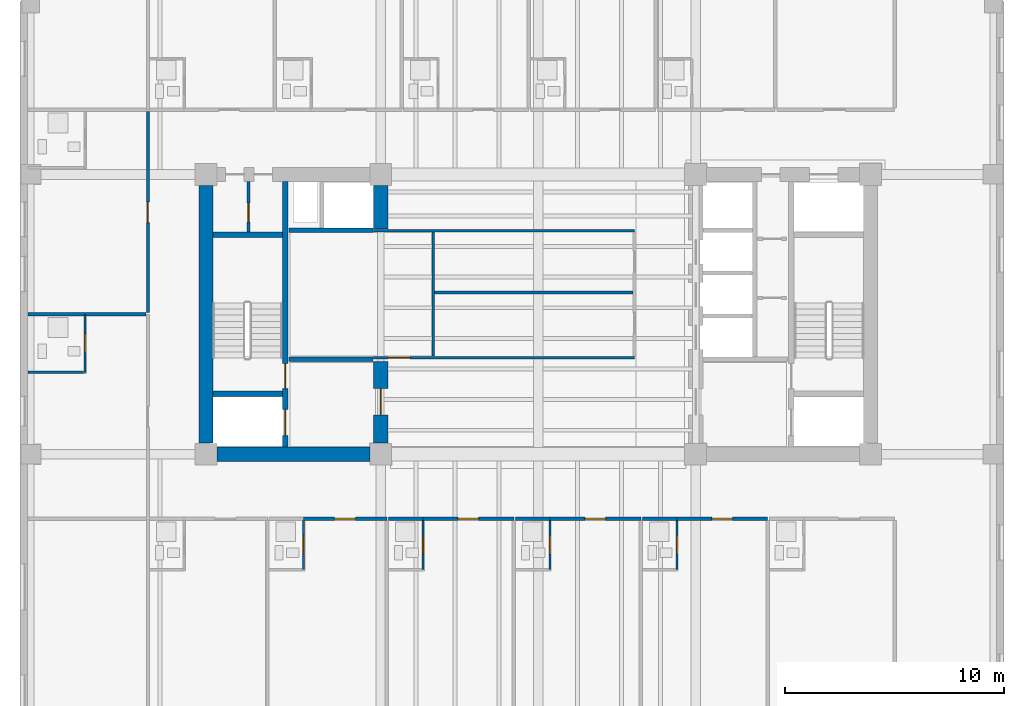
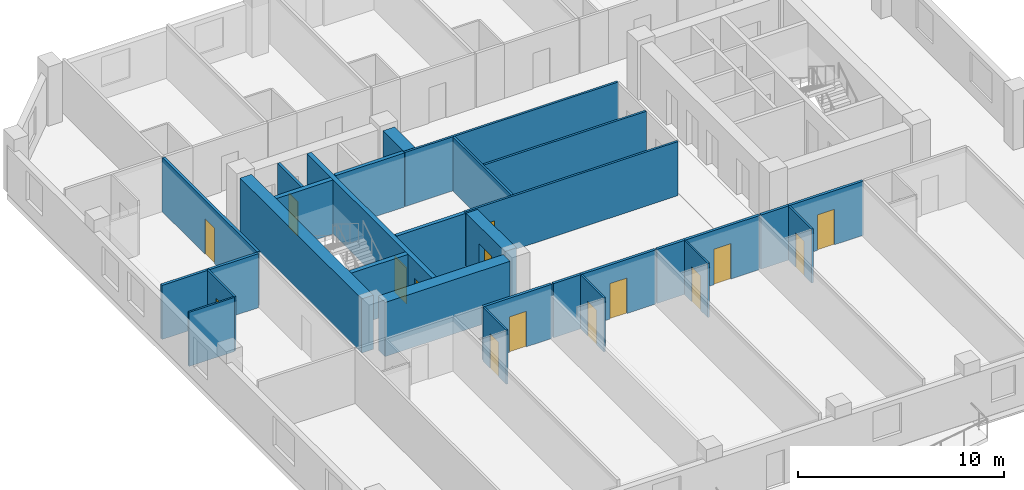
# One storey, part 3 of 11: 29 walls, 15 doors, 15 openings.
"""IFC4 building model written with IfcOpenShell, lengths in metres."""

from ifc_helpers import new_model, si_unit, direction, frame, frame_2d, origin, place, context, subcontext, project, spatial, rectangle, extrude, material, layer, layer_set, type_object, element, fill, save


model = new_model("IFC4")

# Units and contexts
model_context = context("Model", 3, precision=1e-05, world=origin(), true_north=direction((0.0, 1.0)))
body_context = subcontext(model_context, "Body", "Model", "MODEL_VIEW")
ifc_project = project(units=[si_unit("LENGTHUNIT", "METRE"), si_unit("AREAUNIT", "SQUARE_METRE"), si_unit("VOLUMEUNIT", "CUBIC_METRE"), si_unit("PLANEANGLEUNIT", "RADIAN"), si_unit("MASSUNIT", "GRAM", prefix="KILO")], contexts=[model_context])

# Site, building, storey
site_placement = place(None, origin())
site = spatial("IfcSite", under=ifc_project, at=site_placement, CompositionType="ELEMENT")
building_placement = place(site_placement, origin())
building = spatial("IfcBuilding", under=site, at=building_placement, Name="Kranthara Brick Stack", CompositionType="ELEMENT")
storey_placement = place(building_placement, frame((0.0, 0.0, 130.800048828125)))
storey = spatial("IfcBuildingStorey", under=building, at=storey_placement, Name="L32", CompositionType="ELEMENT", Elevation=130.800048828125)

# Wall, openings, doors
ifc_material_1 = material(Name="Concrete C50/60", Category="concrete")
ifc_layer_1 = layer(ifc_material_1, 0.25)
ifc_layer_set_1 = layer_set([ifc_layer_1], Name="Concrete C50/60")
wall_type_1 = type_object("IfcWallType", Name="WL-CORE-250", PredefinedType="SHEAR", material=ifc_layer_set_1)
wall_1_placement = place(storey_placement, frame((16.43505859375, 21.135009765625, 0.0), z_axis=(0.0, 0.0, 1.0), x_axis=(0.0, 1.0, 0.0)))
wall_1 = element("IfcWall", 1, at=wall_1_placement, inside=storey, type_object=wall_type_1, Name="L32 West Core Stair Bearing Spine Wall", PredefinedType="SHEAR", context=body_context, shape_type="SweptSolid", body=[
    extrude(rectangle(XDim=12.1298828125, YDim=0.25, at=frame_2d((6.06494140625, 0.0))), origin(), (0.0, 0.0, 1.0), 3.199951171875),
])
opening_1_placement = place(wall_1_placement, frame((0.514892578125, 0.0, 0.0)))
opening_1 = element("IfcOpeningElement", 2, at=opening_1_placement, cuts=wall_1, Name="Opening LD01", PredefinedType="OPENING", context=body_context, shape_type="SweptSolid", body=[
    extrude(rectangle(XDim=1.199951171875, YDim=2.14990234375, at=frame_2d((0.60009765625, 1.074951171875))), frame((0.0, 0.135009765625, 0.0), z_axis=(0.0, -1.0, 0.0), x_axis=(1.0, 0.0, 0.0)), (0.0, 0.0, 1.0), 0.27001953125),
])
opening_2_placement = place(wall_1_placement, frame((2.6650390625, 0.0, 0.0)))
opening_2 = element("IfcOpeningElement", 3, at=opening_2_placement, cuts=wall_1, Name="Opening D05", PredefinedType="OPENING", context=body_context, shape_type="SweptSolid", body=[
    extrude(rectangle(XDim=1.14990234375, YDim=2.14990234375, at=frame_2d((0.574951171875, 1.074951171875))), frame((0.0, 0.135009765625, 0.0), z_axis=(0.0, -1.0, 0.0), x_axis=(1.0, 0.0, 0.0)), (0.0, 0.0, 1.0), 0.27001953125),
])
ifc_material_2 = material(Name="Stainless steel sliding landing door", Category="steel")
door_type_1 = type_object("IfcDoorType", Name="DR-LD-FF1200", OperationType="DOUBLE_DOOR_SLIDING", PredefinedType="DOOR", material=ifc_material_2)
door_1_placement = place(opening_1_placement, origin())
door_1 = element("IfcDoor", 4, at=door_1_placement, inside=storey, type_object=door_type_1, Name="L32 Firefighting Lift FF-01 Landing Door", OperationType="DOUBLE_DOOR_SLIDING", OverallHeight=2.14990234375, OverallWidth=1.199951171875, PredefinedType="DOOR", context=body_context, shape_type="SweptSolid", body=[
    extrude(rectangle(XDim=1.199951171875, YDim=2.14990234375, at=frame_2d((0.60009765625, 1.074951171875))), frame((0.0, 0.02490234375, 0.0), z_axis=(0.0, -1.0, 0.0), x_axis=(1.0, 0.0, 0.0)), (0.0, 0.0, 1.0), 0.050048828125),
])
fill(opening_1, door_1)
ifc_material_3 = material(Name="Solid-core hardwood timber leaf in steel frame", Category="steel")
door_type_2 = type_object("IfcDoorType", Name="DR-ST-1150", OperationType="NOTDEFINED", PredefinedType="DOOR", material=ifc_material_3)
door_2_placement = place(opening_2_placement, origin())
door_2 = element("IfcDoor", 5, at=door_2_placement, inside=storey, type_object=door_type_2, Name="L32 Exit Stair ST01 Door", OperationType="SINGLE_SWING_RIGHT", OverallHeight=2.14990234375, OverallWidth=1.14990234375, PredefinedType="DOOR", context=body_context, shape_type="SweptSolid", body=[
    extrude(rectangle(XDim=1.14990234375, YDim=2.14990234375, at=frame_2d((0.574951171875, 1.074951171875))), frame((0.0, 0.02490234375, 0.0), z_axis=(0.0, -1.0, 0.0), x_axis=(1.0, 0.0, 0.0)), (0.0, 0.0, 1.0), 0.050048828125),
])
fill(opening_2, door_2)

# Walls
for number, where, z_axis, x_axis, name in (
    (6, (13.135009765625, 23.570068359375, 0.0), (0.0, 0.0, 1.0), (1.0, 0.0, 0.0), "L32 West Stairwell Bearing Wall WFF"),
    (7, (13.135009765625, 30.830078125, 0.0), (0.0, 0.0, 1.0), (1.0, 0.0, 0.0), "L32 West Stairwell Bearing Wall WST"),
):
    element("IfcWall", number, at=place(storey_placement, frame(where, z_axis=z_axis, x_axis=x_axis)), inside=storey, type_object=wall_type_1, Name=name, PredefinedType="SHEAR", context=body_context, shape_type="SweptSolid", body=[
        extrude(rectangle(XDim=3.175048828125, YDim=0.25, at=frame_2d((1.58740234375, 0.0))), origin(), (0.0, 0.0, 1.0), 3.199951171875),
    ])
ifc_material_4 = material(Name="Concrete C60/75", Category="concrete")
ifc_layer_2 = layer(ifc_material_4, 0.64990234375)
ifc_layer_set_2 = layer_set([ifc_layer_2], Name="Concrete C60/75")
wall_type_2 = type_object("IfcWallType", Name="WL-CORE-650", PredefinedType="SHEAR", material=ifc_layer_set_2)
wall_2_placement = place(storey_placement, frame((12.800048828125, 21.304931640625, 0.0), z_axis=(0.0, 0.0, 1.0), x_axis=(0.0, 1.0, 0.0)))
element("IfcWall", 8, at=wall_2_placement, inside=storey, type_object=wall_type_2, Name="L32 West Core Shear Wall West", PredefinedType="SHEAR", context=body_context, shape_type="SweptSolid", body=[
    extrude(rectangle(XDim=11.7900390625, YDim=0.64990234375, at=frame_2d((5.89501953125, 0.0))), origin(), (0.0, 0.0, 1.0), 3.199951171875),
])
wall_3_placement = place(storey_placement, frame((13.304931640625, 20.800048828125, 0.0), z_axis=(0.0, 0.0, 1.0), x_axis=(1.0, 0.0, 0.0)))
element("IfcWall", 9, at=wall_3_placement, inside=storey, type_object=wall_type_2, Name="L32 West Core Shear Wall South", PredefinedType="SHEAR", context=body_context, shape_type="SweptSolid", body=[
    extrude(rectangle(XDim=6.989990234375, YDim=0.64990234375, at=frame_2d((3.4951171875, 0.0))), origin(), (0.0, 0.0, 1.0), 3.199951171875),
])

# Wall, opening, door
wall_4_placement = place(storey_placement, frame((20.800048828125, 21.304931640625, 0.0), z_axis=(0.0, 0.0, 1.0), x_axis=(0.0, 1.0, 0.0)))
wall_4 = element("IfcWall", 10, at=wall_4_placement, inside=storey, type_object=wall_type_2, Name="L32 West Core Lobby Shear Wall", PredefinedType="SHEAR", context=body_context, shape_type="SweptSolid", body=[
    extrude(rectangle(XDim=3.7451171875, YDim=0.64990234375, at=frame_2d((1.87255859375, 0.0))), origin(), (0.0, 0.0, 1.0), 3.199951171875),
])
opening_3_placement = place(wall_4_placement, frame((1.294921875, 0.0, 0.0)))
opening_3 = element("IfcOpeningElement", 11, at=opening_3_placement, cuts=wall_4, Name="Opening D06", PredefinedType="OPENING", context=body_context, shape_type="SweptSolid", body=[
    extrude(rectangle(XDim=1.199951171875, YDim=2.14990234375, at=frame_2d((0.60009765625, 1.074951171875))), frame((0.0, 0.3349609375, 0.0), z_axis=(0.0, -1.0, 0.0), x_axis=(1.0, 0.0, 0.0)), (0.0, 0.0, 1.0), 0.669921875),
])
ifc_material_5 = material(Name="Solid-core hardwood timber leaf in steel frame", Category="steel")
door_type_3 = type_object("IfcDoorType", Name="DR-FFL-1200", OperationType="NOTDEFINED", PredefinedType="DOOR", material=ifc_material_5)
door_3_placement = place(opening_3_placement, origin())
door_3 = element("IfcDoor", 12, at=door_3_placement, inside=storey, type_object=door_type_3, Name="L32 West Firefighting Lobby Door", OperationType="SINGLE_SWING_LEFT", OverallHeight=2.14990234375, OverallWidth=1.199951171875, PredefinedType="DOOR", context=body_context, shape_type="SweptSolid", body=[
    extrude(rectangle(XDim=1.199951171875, YDim=2.14990234375, at=frame_2d((0.60009765625, 1.074951171875))), frame((0.0, 0.02490234375, 0.0), z_axis=(0.0, -1.0, 0.0), x_axis=(1.0, 0.0, 0.0)), (0.0, 0.0, 1.0), 0.050048828125),
])
fill(opening_3, door_3)

# Wall
wall_5_placement = place(storey_placement, frame((20.800048828125, 31.10009765625, 0.0), z_axis=(0.0, 0.0, 1.0), x_axis=(0.0, 1.0, 0.0)))
element("IfcWall", 13, at=wall_5_placement, inside=storey, type_object=wall_type_2, Name="L32 West Core High-Rise Lift Wall", PredefinedType="SHEAR", context=body_context, shape_type="SweptSolid", body=[
    extrude(rectangle(XDim=1.994873046875, YDim=0.64990234375, at=frame_2d((0.99755859375, 0.0))), origin(), (0.0, 0.0, 1.0), 3.199951171875),
])

# Wall, opening, door
ifc_material_6 = material(Name="Moisture-resistant wet-room partition", Category="other")
ifc_layer_3 = layer(ifc_material_6, 0.10009765625)
ifc_layer_set_3 = layer_set([ifc_layer_3], Name="Moisture-resistant wet-room partition")
wall_type_3 = type_object("IfcWallType", Name="WL-PART-100", PredefinedType="PARTITIONING", material=ifc_layer_set_3)
wall_6_placement = place(storey_placement, frame((17.263916015625, 15.52001953125, 0.0), z_axis=(0.0, 0.0, 1.0), x_axis=(0.0, 1.0, 0.0)))
wall_6 = element("IfcWall", 14, at=wall_6_placement, inside=storey, type_object=wall_type_3, Name="L32 Interior Partition 017", PredefinedType="PARTITIONING", context=body_context, shape_type="SweptSolid", body=[
    extrude(rectangle(XDim=2.25, YDim=0.10009765625, at=frame_2d((1.125, 0.0))), origin(), (0.0, 0.0, 1.0), 3.199951171875),
])
opening_4_placement = place(wall_6_placement, frame((0.719970703125, 0.0, 0.0)))
opening_4 = element("IfcOpeningElement", 15, at=opening_4_placement, cuts=wall_6, Name="Opening D17", PredefinedType="OPENING", context=body_context, shape_type="SweptSolid", body=[
    extrude(rectangle(XDim=0.85009765625, YDim=2.050048828125, at=frame_2d((0.425048828125, 1.02490234375))), frame((0.0, 0.06005859375, 0.0), z_axis=(0.0, -1.0, 0.0), x_axis=(1.0, 0.0, 0.0)), (0.0, 0.0, 1.0), 0.1201171875),
])
ifc_material_7 = material(Name="Solid-core hardwood timber leaf in steel frame", Category="steel")
door_type_4 = type_object("IfcDoorType", Name="DR-WET-850", OperationType="NOTDEFINED", PredefinedType="DOOR", material=ifc_material_7)
door_4_placement = place(opening_4_placement, origin())
door_4 = element("IfcDoor", 16, at=door_4_placement, inside=storey, type_object=door_type_4, Name="L32 Key 02 En-Suite Door 09", OperationType="SINGLE_SWING_LEFT", OverallHeight=2.050048828125, OverallWidth=0.85009765625, PredefinedType="DOOR", context=body_context, shape_type="SweptSolid", body=[
    extrude(rectangle(XDim=0.85009765625, YDim=2.050048828125, at=frame_2d((0.425048828125, 1.02490234375))), frame((0.0, 0.02490234375, 0.0), z_axis=(0.0, -1.0, 0.0), x_axis=(1.0, 0.0, 0.0)), (0.0, 0.0, 1.0), 0.050048828125),
])
fill(opening_4, door_4)

wall_7_placement = place(storey_placement, frame((22.72802734375, 15.52001953125, 0.0), z_axis=(0.0, 0.0, 1.0), x_axis=(0.0, 1.0, 0.0)))
wall_7 = element("IfcWall", 17, at=wall_7_placement, inside=storey, type_object=wall_type_3, Name="L32 Interior Partition 022", PredefinedType="PARTITIONING", context=body_context, shape_type="SweptSolid", body=[
    extrude(rectangle(XDim=2.25, YDim=0.10009765625, at=frame_2d((1.125, 0.0))), origin(), (0.0, 0.0, 1.0), 3.199951171875),
])
opening_5_placement = place(wall_7_placement, frame((0.719970703125, 0.0, 0.0)))
opening_5 = element("IfcOpeningElement", 18, at=opening_5_placement, cuts=wall_7, Name="Opening D17", PredefinedType="OPENING", context=body_context, shape_type="SweptSolid", body=[
    extrude(rectangle(XDim=0.85009765625, YDim=2.050048828125, at=frame_2d((0.425048828125, 1.02490234375))), frame((0.0, 0.06005859375, 0.0), z_axis=(0.0, -1.0, 0.0), x_axis=(1.0, 0.0, 0.0)), (0.0, 0.0, 1.0), 0.1201171875),
])
door_5_placement = place(opening_5_placement, origin())
door_5 = element("IfcDoor", 19, at=door_5_placement, inside=storey, type_object=door_type_4, Name="L32 Key 03 En-Suite Door 11", OperationType="SINGLE_SWING_LEFT", OverallHeight=2.050048828125, OverallWidth=0.85009765625, PredefinedType="DOOR", context=body_context, shape_type="SweptSolid", body=[
    extrude(rectangle(XDim=0.85009765625, YDim=2.050048828125, at=frame_2d((0.425048828125, 1.02490234375))), frame((0.0, 0.02490234375, 0.0), z_axis=(0.0, -1.0, 0.0), x_axis=(1.0, 0.0, 0.0)), (0.0, 0.0, 1.0), 0.050048828125),
])
fill(opening_5, door_5)

wall_8_placement = place(storey_placement, frame((28.532958984375, 15.52001953125, 0.0), z_axis=(0.0, 0.0, 1.0), x_axis=(0.0, 1.0, 0.0)))
wall_8 = element("IfcWall", 20, at=wall_8_placement, inside=storey, type_object=wall_type_3, Name="L32 Interior Partition 027", PredefinedType="PARTITIONING", context=body_context, shape_type="SweptSolid", body=[
    extrude(rectangle(XDim=2.25, YDim=0.10009765625, at=frame_2d((1.125, 0.0))), origin(), (0.0, 0.0, 1.0), 3.199951171875),
])
opening_6_placement = place(wall_8_placement, frame((0.719970703125, 0.0, 0.0)))
opening_6 = element("IfcOpeningElement", 21, at=opening_6_placement, cuts=wall_8, Name="Opening D17", PredefinedType="OPENING", context=body_context, shape_type="SweptSolid", body=[
    extrude(rectangle(XDim=0.85009765625, YDim=2.050048828125, at=frame_2d((0.425048828125, 1.02490234375))), frame((0.0, 0.06005859375, 0.0), z_axis=(0.0, -1.0, 0.0), x_axis=(1.0, 0.0, 0.0)), (0.0, 0.0, 1.0), 0.1201171875),
])
door_6_placement = place(opening_6_placement, origin())
door_6 = element("IfcDoor", 22, at=door_6_placement, inside=storey, type_object=door_type_4, Name="L32 Key 04 En-Suite Door 13", OperationType="SINGLE_SWING_LEFT", OverallHeight=2.050048828125, OverallWidth=0.85009765625, PredefinedType="DOOR", context=body_context, shape_type="SweptSolid", body=[
    extrude(rectangle(XDim=0.85009765625, YDim=2.050048828125, at=frame_2d((0.425048828125, 1.02490234375))), frame((0.0, 0.02490234375, 0.0), z_axis=(0.0, -1.0, 0.0), x_axis=(1.0, 0.0, 0.0)), (0.0, 0.0, 1.0), 0.050048828125),
])
fill(opening_6, door_6)

wall_9_placement = place(storey_placement, frame((34.339111328125, 15.52001953125, 0.0), z_axis=(0.0, 0.0, 1.0), x_axis=(0.0, 1.0, 0.0)))
wall_9 = element("IfcWall", 23, at=wall_9_placement, inside=storey, type_object=wall_type_3, Name="L32 Interior Partition 032", PredefinedType="PARTITIONING", context=body_context, shape_type="SweptSolid", body=[
    extrude(rectangle(XDim=2.25, YDim=0.10009765625, at=frame_2d((1.125, 0.0))), origin(), (0.0, 0.0, 1.0), 3.199951171875),
])
opening_7_placement = place(wall_9_placement, frame((0.719970703125, 0.0, 0.0)))
opening_7 = element("IfcOpeningElement", 24, at=opening_7_placement, cuts=wall_9, Name="Opening D17", PredefinedType="OPENING", context=body_context, shape_type="SweptSolid", body=[
    extrude(rectangle(XDim=0.85009765625, YDim=2.050048828125, at=frame_2d((0.425048828125, 1.02490234375))), frame((0.0, 0.06005859375, 0.0), z_axis=(0.0, -1.0, 0.0), x_axis=(1.0, 0.0, 0.0)), (0.0, 0.0, 1.0), 0.1201171875),
])
door_7_placement = place(opening_7_placement, origin())
door_7 = element("IfcDoor", 25, at=door_7_placement, inside=storey, type_object=door_type_4, Name="L32 Key 05 En-Suite Door 15", OperationType="SINGLE_SWING_LEFT", OverallHeight=2.050048828125, OverallWidth=0.85009765625, PredefinedType="DOOR", context=body_context, shape_type="SweptSolid", body=[
    extrude(rectangle(XDim=0.85009765625, YDim=2.050048828125, at=frame_2d((0.425048828125, 1.02490234375))), frame((0.0, 0.02490234375, 0.0), z_axis=(0.0, -1.0, 0.0), x_axis=(1.0, 0.0, 0.0)), (0.0, 0.0, 1.0), 0.050048828125),
])
fill(opening_7, door_7)

wall_10_placement = place(storey_placement, frame((7.27001953125, 24.550048828125, 0.0), z_axis=(0.0, 0.0, 1.0), x_axis=(0.0, 1.0, 0.0)))
wall_10 = element("IfcWall", 26, at=wall_10_placement, inside=storey, type_object=wall_type_3, Name="L32 Interior Partition 071", PredefinedType="PARTITIONING", context=body_context, shape_type="SweptSolid", body=[
    extrude(rectangle(XDim=2.64990234375, YDim=0.10009765625, at=frame_2d((1.324951171875, 0.0))), origin(), (0.0, 0.0, 1.0), 3.199951171875),
])
opening_8_placement = place(wall_10_placement, frame((0.905029296875, 0.0, 0.0)))
opening_8 = element("IfcOpeningElement", 27, at=opening_8_placement, cuts=wall_10, Name="Opening D17", PredefinedType="OPENING", context=body_context, shape_type="SweptSolid", body=[
    extrude(rectangle(XDim=0.85009765625, YDim=2.050048828125, at=frame_2d((0.425048828125, 1.02490234375))), frame((0.0, 0.06005859375, 0.0), z_axis=(0.0, -1.0, 0.0), x_axis=(1.0, 0.0, 0.0)), (0.0, 0.0, 1.0), 0.1201171875),
])
door_8_placement = place(opening_8_placement, origin())
door_8 = element("IfcDoor", 28, at=door_8_placement, inside=storey, type_object=door_type_4, Name="L32 West Key 13 Bath 30", OperationType="SINGLE_SWING_RIGHT", OverallHeight=2.050048828125, OverallWidth=0.85009765625, PredefinedType="DOOR", context=body_context, shape_type="SweptSolid", body=[
    extrude(rectangle(XDim=0.85009765625, YDim=2.050048828125, at=frame_2d((0.425048828125, 1.02490234375))), frame((0.0, 0.02490234375, 0.0), z_axis=(0.0, -1.0, 0.0), x_axis=(1.0, 0.0, 0.0)), (0.0, 0.0, 1.0), 0.050048828125),
])
fill(opening_8, door_8)

# Wall
wall_11_placement = place(storey_placement, frame((4.675048828125, 24.550048828125, 0.0), z_axis=(0.0, 0.0, 1.0), x_axis=(1.0, 0.0, 0.0)))
element("IfcWall", 29, at=wall_11_placement, inside=storey, type_object=wall_type_3, Name="L32 Interior Partition 072", PredefinedType="PARTITIONING", context=body_context, shape_type="SweptSolid", body=[
    extrude(rectangle(XDim=2.5400390625, YDim=0.10009765625, at=frame_2d((1.27001953125, 0.0))), origin(), (0.0, 0.0, 1.0), 3.199951171875),
])

# Wall, opening, door
ifc_material_8 = material(Name="Acoustic gypsum plasterboard partition", Category="other")
ifc_layer_4 = layer(ifc_material_8, 0.1201171875)
ifc_layer_set_4 = layer_set([ifc_layer_4], Name="Acoustic gypsum plasterboard partition")
wall_type_4 = type_object("IfcWallType", Name="WL-PART-120", PredefinedType="PARTITIONING", material=ifc_layer_set_4)
wall_12_placement = place(storey_placement, frame((20.4599609375, 25.219970703125, 0.0), z_axis=(0.0, 0.0, 1.0), x_axis=(1.0, 0.0, 0.0)))
wall_12 = element("IfcWall", 30, at=wall_12_placement, inside=storey, type_object=wall_type_4, Name="L32 Interior Partition 004", PredefinedType="PARTITIONING", context=body_context, shape_type="SweptSolid", body=[
    extrude(rectangle(XDim=11.93994140625, YDim=0.1201171875, at=frame_2d((5.969970703125, 0.0))), origin(), (0.0, 0.0, 1.0), 3.199951171875),
])
opening_9_placement = place(wall_12_placement, frame((0.679931640625, 0.0, 0.0)))
opening_9 = element("IfcOpeningElement", 31, at=opening_9_placement, cuts=wall_12, Name="Opening D13", PredefinedType="OPENING", context=body_context, shape_type="SweptSolid", body=[
    extrude(rectangle(XDim=1.0, YDim=2.10009765625, at=frame_2d((0.5, 1.050048828125))), frame((0.0, 0.070068359375, 0.0), z_axis=(0.0, -1.0, 0.0), x_axis=(1.0, 0.0, 0.0)), (0.0, 0.0, 1.0), 0.14013671875),
])
ifc_material_9 = material(Name="Solid-core hardwood timber leaf in steel frame", Category="steel")
door_type_5 = type_object("IfcDoorType", Name="DR-INT-1000", OperationType="NOTDEFINED", PredefinedType="DOOR", material=ifc_material_9)
door_9_placement = place(opening_9_placement, origin())
door_9 = element("IfcDoor", 32, at=door_9_placement, inside=storey, type_object=door_type_5, Name="L32 Hotel Study Door 04", OperationType="SINGLE_SWING_RIGHT", OverallHeight=2.10009765625, OverallWidth=1.0, PredefinedType="DOOR", context=body_context, shape_type="SweptSolid", body=[
    extrude(rectangle(XDim=1.0, YDim=2.10009765625, at=frame_2d((0.5, 1.050048828125))), frame((0.0, 0.02490234375, 0.0), z_axis=(0.0, -1.0, 0.0), x_axis=(1.0, 0.0, 0.0)), (0.0, 0.0, 1.0), 0.050048828125),
])
fill(opening_9, door_9)

# Walls
wall_13_placement = place(storey_placement, frame((20.4599609375, 31.02001953125, 0.0), z_axis=(0.0, 0.0, 1.0), x_axis=(1.0, 0.0, 0.0)))
element("IfcWall", 33, at=wall_13_placement, inside=storey, type_object=wall_type_4, Name="L32 Interior Partition 005", PredefinedType="PARTITIONING", context=body_context, shape_type="SweptSolid", body=[
    extrude(rectangle(XDim=11.93994140625, YDim=0.1201171875, at=frame_2d((5.969970703125, 0.0))), origin(), (0.0, 0.0, 1.0), 3.199951171875),
])
wall_14_placement = place(storey_placement, frame((23.199951171875, 25.284912109375, 0.0), z_axis=(0.0, 0.0, 1.0), x_axis=(0.0, 1.0, 0.0)))
element("IfcWall", 34, at=wall_14_placement, inside=storey, type_object=wall_type_4, Name="L32 Interior Partition 007", PredefinedType="PARTITIONING", context=body_context, shape_type="SweptSolid", body=[
    extrude(rectangle(XDim=5.670166015625, YDim=0.1201171875, at=frame_2d((2.8349609375, 0.0))), origin(), (0.0, 0.0, 1.0), 3.199951171875),
])
wall_15_placement = place(storey_placement, frame((23.264892578125, 28.199951171875, 0.0), z_axis=(0.0, 0.0, 1.0), x_axis=(1.0, 0.0, 0.0)))
element("IfcWall", 35, at=wall_15_placement, inside=storey, type_object=wall_type_4, Name="L32 Interior Partition 008", PredefinedType="PARTITIONING", context=body_context, shape_type="SweptSolid", body=[
    extrude(rectangle(XDim=9.070068359375, YDim=0.1201171875, at=frame_2d((4.53515625, 0.0))), origin(), (0.0, 0.0, 1.0), 3.199951171875),
])

# Wall, opening, door
ifc_material_10 = material(Name="Fire-rated gypsum board partition", Category="other")
ifc_layer_5 = layer(ifc_material_10, 0.14990234375)
ifc_layer_set_5 = layer_set([ifc_layer_5], Name="Fire-rated gypsum board partition")
wall_type_5 = type_object("IfcWallType", Name="WL-PART-150", PredefinedType="PARTITIONING", material=ifc_layer_set_5)
wall_16_placement = place(storey_placement, frame((14.75, 30.9599609375, 0.0), z_axis=(0.0, 0.0, 1.0), x_axis=(0.0, 1.0, 0.0)))
wall_16 = element("IfcWall", 36, at=wall_16_placement, inside=storey, type_object=wall_type_5, Name="L32 Interior Partition 001", PredefinedType="PARTITIONING", context=body_context, shape_type="SweptSolid", body=[
    extrude(rectangle(XDim=2.31005859375, YDim=0.14990234375, at=frame_2d((1.155029296875, 0.0))), origin(), (0.0, 0.0, 1.0), 3.199951171875),
])
opening_10_placement = place(wall_16_placement, frame((0.469970703125, 0.0, 0.0)))
opening_10 = element("IfcOpeningElement", 37, at=opening_10_placement, cuts=wall_16, Name="Opening D10", PredefinedType="OPENING", context=body_context, shape_type="SweptSolid", body=[
    extrude(rectangle(XDim=0.85009765625, YDim=2.02001953125, at=frame_2d((0.425048828125, 1.010009765625))), frame((0.0, 0.0849609375, 0.0), z_axis=(0.0, -1.0, 0.0), x_axis=(1.0, 0.0, 0.0)), (0.0, 0.0, 1.0), 0.169921875),
])
ifc_material_11 = material(Name="Solid-core hardwood timber leaf in steel frame", Category="steel")
door_type_6 = type_object("IfcDoorType", Name="DR-RSR-850", OperationType="NOTDEFINED", PredefinedType="DOOR", material=ifc_material_11)
door_10_placement = place(opening_10_placement, origin())
door_10 = element("IfcDoor", 38, at=door_10_placement, inside=storey, type_object=door_type_6, Name="L32 Service Interconnect 01", OperationType="SINGLE_SWING_LEFT", OverallHeight=2.02001953125, OverallWidth=0.85009765625, PredefinedType="DOOR", context=body_context, shape_type="SweptSolid", body=[
    extrude(rectangle(XDim=0.85009765625, YDim=2.02001953125, at=frame_2d((0.425048828125, 1.010009765625))), frame((0.0, 0.02490234375, 0.0), z_axis=(0.0, -1.0, 0.0), x_axis=(1.0, 0.0, 0.0)), (0.0, 0.0, 1.0), 0.050048828125),
])
fill(opening_10, door_10)

wall_17_placement = place(storey_placement, frame((17.263916015625, 17.85009765625, 0.0), z_axis=(0.0, 0.0, 1.0), x_axis=(1.0, 0.0, 0.0)))
wall_17 = element("IfcWall", 39, at=wall_17_placement, inside=storey, type_object=wall_type_5, Name="L32 Interior Partition 016", PredefinedType="PARTITIONING", context=body_context, shape_type="SweptSolid", body=[
    extrude(rectangle(XDim=3.81396484375, YDim=0.14990234375, at=frame_2d((1.906982421875, 0.0))), origin(), (0.0, 0.0, 1.0), 3.199951171875),
])
opening_11_placement = place(wall_17_placement, frame((1.427001953125, 0.0, 0.0)))
opening_11 = element("IfcOpeningElement", 40, at=opening_11_placement, cuts=wall_17, Name="Opening D09", PredefinedType="OPENING", context=body_context, shape_type="SweptSolid", body=[
    extrude(rectangle(XDim=0.949951171875, YDim=2.10009765625, at=frame_2d((0.47509765625, 1.050048828125))), frame((0.0, 0.0849609375, 0.0), z_axis=(0.0, -1.0, 0.0), x_axis=(1.0, 0.0, 0.0)), (0.0, 0.0, 1.0), 0.169921875),
])
ifc_material_12 = material(Name="Solid-core hardwood timber leaf in steel frame", Category="steel")
door_type_7 = type_object("IfcDoorType", Name="DR-FD-950", OperationType="NOTDEFINED", PredefinedType="DOOR", material=ifc_material_12)
door_11_placement = place(opening_11_placement, origin())
door_11 = element("IfcDoor", 41, at=door_11_placement, inside=storey, type_object=door_type_7, Name="L32 Key 02 Entry 10", OperationType="SINGLE_SWING_RIGHT", OverallHeight=2.10009765625, OverallWidth=0.949951171875, PredefinedType="DOOR", context=body_context, shape_type="SweptSolid", body=[
    extrude(rectangle(XDim=0.949951171875, YDim=2.10009765625, at=frame_2d((0.47509765625, 1.050048828125))), frame((0.0, 0.02490234375, 0.0), z_axis=(0.0, -1.0, 0.0), x_axis=(1.0, 0.0, 0.0)), (0.0, 0.0, 1.0), 0.050048828125),
])
fill(opening_11, door_11)

# Wall
wall_18_placement = place(storey_placement, frame((21.157958984375, 17.85009765625, 0.0), z_axis=(0.0, 0.0, 1.0), x_axis=(1.0, 0.0, 0.0)))
element("IfcWall", 42, at=wall_18_placement, inside=storey, type_object=wall_type_5, Name="L32 Interior Partition 020", PredefinedType="PARTITIONING", context=body_context, shape_type="SweptSolid", body=[
    extrude(rectangle(XDim=1.570068359375, YDim=0.14990234375, at=frame_2d((0.78515625, 0.0))), origin(), (0.0, 0.0, 1.0), 3.199951171875),
])

# Wall, opening, door
wall_19_placement = place(storey_placement, frame((22.72802734375, 17.85009765625, 0.0), z_axis=(0.0, 0.0, 1.0), x_axis=(1.0, 0.0, 0.0)))
wall_19 = element("IfcWall", 43, at=wall_19_placement, inside=storey, type_object=wall_type_5, Name="L32 Interior Partition 021", PredefinedType="PARTITIONING", context=body_context, shape_type="SweptSolid", body=[
    extrude(rectangle(XDim=4.155029296875, YDim=0.14990234375, at=frame_2d((2.07763671875, 0.0))), origin(), (0.0, 0.0, 1.0), 3.199951171875),
])
opening_12_placement = place(wall_19_placement, frame((1.596923828125, 0.0, 0.0)))
opening_12 = element("IfcOpeningElement", 44, at=opening_12_placement, cuts=wall_19, Name="Opening D09", PredefinedType="OPENING", context=body_context, shape_type="SweptSolid", body=[
    extrude(rectangle(XDim=0.949951171875, YDim=2.10009765625, at=frame_2d((0.47509765625, 1.050048828125))), frame((0.0, 0.0849609375, 0.0), z_axis=(0.0, -1.0, 0.0), x_axis=(1.0, 0.0, 0.0)), (0.0, 0.0, 1.0), 0.169921875),
])
door_12_placement = place(opening_12_placement, origin())
door_12 = element("IfcDoor", 45, at=door_12_placement, inside=storey, type_object=door_type_7, Name="L32 Key 03 Entry 12", OperationType="SINGLE_SWING_RIGHT", OverallHeight=2.10009765625, OverallWidth=0.949951171875, PredefinedType="DOOR", context=body_context, shape_type="SweptSolid", body=[
    extrude(rectangle(XDim=0.949951171875, YDim=2.10009765625, at=frame_2d((0.47509765625, 1.050048828125))), frame((0.0, 0.02490234375, 0.0), z_axis=(0.0, -1.0, 0.0), x_axis=(1.0, 0.0, 0.0)), (0.0, 0.0, 1.0), 0.050048828125),
])
fill(opening_12, door_12)

# Wall
wall_20_placement = place(storey_placement, frame((26.962890625, 17.85009765625, 0.0), z_axis=(0.0, 0.0, 1.0), x_axis=(1.0, 0.0, 0.0)))
element("IfcWall", 46, at=wall_20_placement, inside=storey, type_object=wall_type_5, Name="L32 Interior Partition 025", PredefinedType="PARTITIONING", context=body_context, shape_type="SweptSolid", body=[
    extrude(rectangle(XDim=1.570068359375, YDim=0.14990234375, at=frame_2d((0.78515625, 0.0))), origin(), (0.0, 0.0, 1.0), 3.199951171875),
])

# Wall, opening, door
wall_21_placement = place(storey_placement, frame((28.532958984375, 17.85009765625, 0.0), z_axis=(0.0, 0.0, 1.0), x_axis=(1.0, 0.0, 0.0)))
wall_21 = element("IfcWall", 47, at=wall_21_placement, inside=storey, type_object=wall_type_5, Name="L32 Interior Partition 026", PredefinedType="PARTITIONING", context=body_context, shape_type="SweptSolid", body=[
    extrude(rectangle(XDim=4.156005859375, YDim=0.14990234375, at=frame_2d((2.078125, 0.0))), origin(), (0.0, 0.0, 1.0), 3.199951171875),
])
opening_13_placement = place(wall_21_placement, frame((1.597900390625, 0.0, 0.0)))
opening_13 = element("IfcOpeningElement", 48, at=opening_13_placement, cuts=wall_21, Name="Opening D09", PredefinedType="OPENING", context=body_context, shape_type="SweptSolid", body=[
    extrude(rectangle(XDim=0.949951171875, YDim=2.10009765625, at=frame_2d((0.47509765625, 1.050048828125))), frame((0.0, 0.0849609375, 0.0), z_axis=(0.0, -1.0, 0.0), x_axis=(1.0, 0.0, 0.0)), (0.0, 0.0, 1.0), 0.169921875),
])
door_13_placement = place(opening_13_placement, origin())
door_13 = element("IfcDoor", 49, at=door_13_placement, inside=storey, type_object=door_type_7, Name="L32 Key 04 Entry 14", OperationType="SINGLE_SWING_RIGHT", OverallHeight=2.10009765625, OverallWidth=0.949951171875, PredefinedType="DOOR", context=body_context, shape_type="SweptSolid", body=[
    extrude(rectangle(XDim=0.949951171875, YDim=2.10009765625, at=frame_2d((0.47509765625, 1.050048828125))), frame((0.0, 0.02490234375, 0.0), z_axis=(0.0, -1.0, 0.0), x_axis=(1.0, 0.0, 0.0)), (0.0, 0.0, 1.0), 0.050048828125),
])
fill(opening_13, door_13)

# Wall
wall_22_placement = place(storey_placement, frame((32.76904296875, 17.85009765625, 0.0), z_axis=(0.0, 0.0, 1.0), x_axis=(1.0, 0.0, 0.0)))
element("IfcWall", 50, at=wall_22_placement, inside=storey, type_object=wall_type_5, Name="L32 Interior Partition 030", PredefinedType="PARTITIONING", context=body_context, shape_type="SweptSolid", body=[
    extrude(rectangle(XDim=1.570068359375, YDim=0.14990234375, at=frame_2d((0.78515625, 0.0))), origin(), (0.0, 0.0, 1.0), 3.199951171875),
])

# Wall, opening, door
wall_23_placement = place(storey_placement, frame((34.339111328125, 17.85009765625, 0.0), z_axis=(0.0, 0.0, 1.0), x_axis=(1.0, 0.0, 0.0)))
wall_23 = element("IfcWall", 51, at=wall_23_placement, inside=storey, type_object=wall_type_5, Name="L32 Interior Partition 031", PredefinedType="PARTITIONING", context=body_context, shape_type="SweptSolid", body=[
    extrude(rectangle(XDim=4.15478515625, YDim=0.14990234375, at=frame_2d((2.077392578125, 0.0))), origin(), (0.0, 0.0, 1.0), 3.199951171875),
])
opening_14_placement = place(wall_23_placement, frame((1.596923828125, 0.0, 0.0)))
opening_14 = element("IfcOpeningElement", 52, at=opening_14_placement, cuts=wall_23, Name="Opening D09", PredefinedType="OPENING", context=body_context, shape_type="SweptSolid", body=[
    extrude(rectangle(XDim=0.949951171875, YDim=2.10009765625, at=frame_2d((0.47509765625, 1.050048828125))), frame((0.0, 0.0849609375, 0.0), z_axis=(0.0, -1.0, 0.0), x_axis=(1.0, 0.0, 0.0)), (0.0, 0.0, 1.0), 0.169921875),
])
door_14_placement = place(opening_14_placement, origin())
door_14 = element("IfcDoor", 53, at=door_14_placement, inside=storey, type_object=door_type_7, Name="L32 Key 05 Entry 16", OperationType="SINGLE_SWING_RIGHT", OverallHeight=2.10009765625, OverallWidth=0.949951171875, PredefinedType="DOOR", context=body_context, shape_type="SweptSolid", body=[
    extrude(rectangle(XDim=0.949951171875, YDim=2.10009765625, at=frame_2d((0.47509765625, 1.050048828125))), frame((0.0, 0.02490234375, 0.0), z_axis=(0.0, -1.0, 0.0), x_axis=(1.0, 0.0, 0.0)), (0.0, 0.0, 1.0), 0.050048828125),
])
fill(opening_14, door_14)

# Wall
wall_24_placement = place(storey_placement, frame((4.675048828125, 27.199951171875, 0.0), z_axis=(0.0, 0.0, 1.0), x_axis=(1.0, 0.0, 0.0)))
element("IfcWall", 54, at=wall_24_placement, inside=storey, type_object=wall_type_5, Name="L32 Interior Partition 073", PredefinedType="PARTITIONING", context=body_context, shape_type="SweptSolid", body=[
    extrude(rectangle(XDim=5.39501953125, YDim=0.14990234375, at=frame_2d((2.697509765625, 0.0))), origin(), (0.0, 0.0, 1.0), 3.199951171875),
])

# Wall, opening, door
wall_25_placement = place(storey_placement, frame((10.14990234375, 27.280029296875, 0.0), z_axis=(0.0, 0.0, 1.0), x_axis=(0.0, 1.0, 0.0)))
wall_25 = element("IfcWall", 55, at=wall_25_placement, inside=storey, type_object=wall_type_5, Name="L32 Interior Partition 074", PredefinedType="PARTITIONING", context=body_context, shape_type="SweptSolid", body=[
    extrude(rectangle(XDim=9.18994140625, YDim=0.14990234375, at=frame_2d((4.594970703125, 0.0))), origin(), (0.0, 0.0, 1.0), 3.199951171875),
])
opening_15_placement = place(wall_25_placement, frame((4.114990234375, 0.0, 0.0)))
opening_15 = element("IfcOpeningElement", 56, at=opening_15_placement, cuts=wall_25, Name="Opening D09", PredefinedType="OPENING", context=body_context, shape_type="SweptSolid", body=[
    extrude(rectangle(XDim=0.949951171875, YDim=2.10009765625, at=frame_2d((0.47509765625, 1.050048828125))), frame((0.0, 0.0849609375, 0.0), z_axis=(0.0, -1.0, 0.0), x_axis=(1.0, 0.0, 0.0)), (0.0, 0.0, 1.0), 0.169921875),
])
door_15_placement = place(opening_15_placement, origin())
door_15 = element("IfcDoor", 57, at=door_15_placement, inside=storey, type_object=door_type_7, Name="L32 West Key 14 33", OperationType="SINGLE_SWING_LEFT", OverallHeight=2.10009765625, OverallWidth=0.949951171875, PredefinedType="DOOR", context=body_context, shape_type="SweptSolid", body=[
    extrude(rectangle(XDim=0.949951171875, YDim=2.10009765625, at=frame_2d((0.47509765625, 1.050048828125))), frame((0.0, 0.02490234375, 0.0), z_axis=(0.0, -1.0, 0.0), x_axis=(1.0, 0.0, 0.0)), (0.0, 0.0, 1.0), 0.050048828125),
])
fill(opening_15, door_15)

# Walls
ifc_material_13 = material(Name="Concrete C40/50", Category="concrete")
ifc_layer_6 = layer(ifc_material_13, 0.199951171875)
ifc_layer_set_6 = layer_set([ifc_layer_6], Name="Concrete C40/50")
wall_type_6 = type_object("IfcWallType", Name="WL-PART-200", PredefinedType="SOLIDWALL", material=ifc_layer_set_6)
for number, where, z_axis, x_axis, name in (
    (58, (16.60009765625, 25.14990234375, 0.0), (0.0, 0.0, 1.0), (1.0, 0.0, 0.0), "L32 West Core Cross Wall WFL"),
    (59, (16.60009765625, 31.050048828125, 0.0), (0.0, 0.0, 1.0), (1.0, 0.0, 0.0), "L32 West Core Cross Wall WH4"),
):
    element("IfcWall", number, at=place(storey_placement, frame(where, z_axis=z_axis, x_axis=x_axis)), inside=storey, type_object=wall_type_6, Name=name, PredefinedType="SOLIDWALL", context=body_context, shape_type="SweptSolid", body=[
        extrude(rectangle(XDim=3.849853515625, YDim=0.199951171875, at=frame_2d((1.9248046875, 0.0))), origin(), (0.0, 0.0, 1.0), 3.199951171875),
    ])

save(model, "model.ifc")
